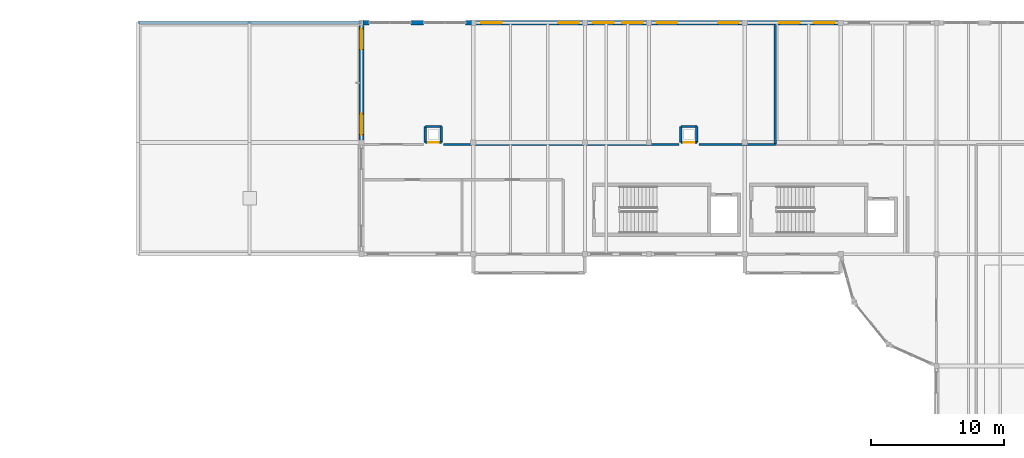
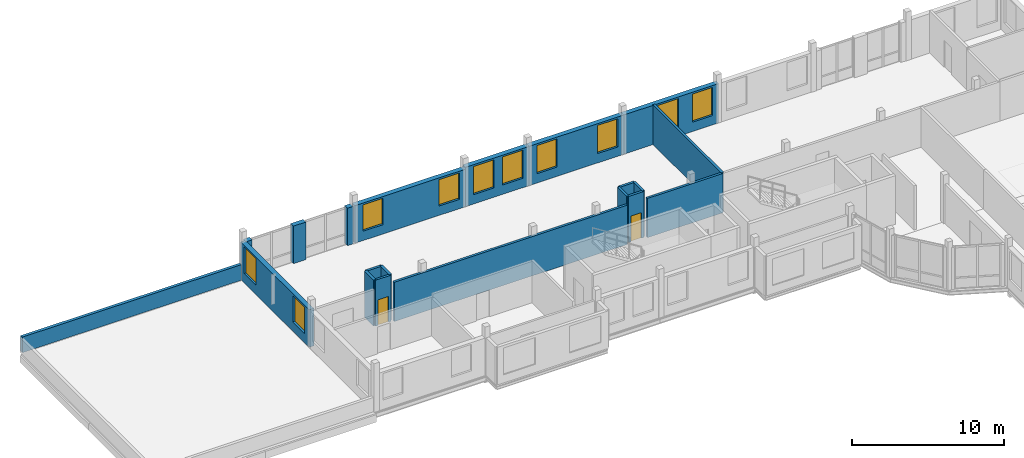
# One storey, part 42 of 57: 20 walls, 10 windows, 2 doors, 12 openings.
"""IFC4 building model written with IfcOpenShell, lengths in metres."""

from ifc_helpers import new_model, si_unit, direction, frame, frame_2d, origin, place, context, subcontext, project, spatial, rectangle, extrude, material, layer, layer_set, type_object, element, fill, save


model = new_model("IFC4")

# Units and contexts
model_context = context("Model", 3, precision=1e-05, world=origin(), true_north=direction((0.0, 1.0)))
body_context = subcontext(model_context, "Body", "Model", "MODEL_VIEW")
ifc_project = project(units=[si_unit("LENGTHUNIT", "METRE"), si_unit("AREAUNIT", "SQUARE_METRE"), si_unit("VOLUMEUNIT", "CUBIC_METRE"), si_unit("PLANEANGLEUNIT", "RADIAN"), si_unit("MASSUNIT", "GRAM", prefix="KILO")], contexts=[model_context])

# Site, building, storey
site_placement = place(None, origin())
site = spatial("IfcSite", under=ifc_project, at=site_placement, CompositionType="ELEMENT")
building_placement = place(site_placement, origin())
building = spatial("IfcBuilding", under=site, at=building_placement, Name="Kahlenmark Community Centre", CompositionType="ELEMENT")
storey_placement = place(building_placement, frame((0.0, 0.0, 13.800048828125)))
storey = spatial("IfcBuildingStorey", under=building, at=storey_placement, Name="L03", CompositionType="ELEMENT", Elevation=13.800048828125)

# Walls
ifc_material_1 = material(Name="Danube limestone masonry", Category="masonry")
ifc_layer_1 = layer(ifc_material_1, 0.360107421875)
ifc_layer_set_1 = layer_set([ifc_layer_1], Name="Danube limestone masonry")
wall_type_1 = type_object("IfcWallType", Name="WT-EW-360", PredefinedType="SOLIDWALL", material=ifc_layer_set_1)
wall_1_placement = place(storey_placement, frame((33.8798828125, 115.0, 0.0), z_axis=(0.0, 0.0, 1.0), x_axis=(-1.0, 0.0, 0.0)))
element("IfcWall", 1, at=wall_1_placement, inside=storey, type_object=wall_type_1, Name="Postmodern limestone pier 0594", PredefinedType="SOLIDWALL", context=body_context, shape_type="SweptSolid", body=[
    extrude(rectangle(XDim=0.9599609375, YDim=0.360107421875, at=frame_2d((0.47998046875, 0.0))), origin(), (0.0, 0.0, 1.0), 3.010009765625),
])
for number, where, z_axis, x_axis, name in (
    (2, (37.469970703125, 115.0, 0.0), (0.0, 0.0, 1.0), (-1.0, 0.0, 0.0), "Column closure pier 0595"),
    (3, (29.780029296875, 115.0, 0.0), (0.0, 0.0, 1.0), (-1.0, 0.0, 0.0), "Column closure pier 0596"),
):
    element("IfcWall", number, at=place(storey_placement, frame(where, z_axis=z_axis, x_axis=x_axis)), inside=storey, type_object=wall_type_1, Name=name, PredefinedType="SOLIDWALL", context=body_context, shape_type="SweptSolid", body=[
        extrude(rectangle(XDim=0.449951171875, YDim=0.360107421875, at=frame_2d((0.22509765625, 0.0))), origin(), (0.0, 0.0, 1.0), 3.010009765625),
    ])

# Wall, openings, windows
wall_2_placement = place(storey_placement, frame((46.0, 115.0, 0.0), z_axis=(0.0, 0.0, 1.0), x_axis=(-1.0, 0.0, 0.0)))
wall_2 = element("IfcWall", 4, at=wall_2_placement, inside=storey, type_object=wall_type_1, Name="Exterior wall WL-EXT-L03-0597", PredefinedType="SOLIDWALL", context=body_context, shape_type="SweptSolid", body=[
    extrude(rectangle(XDim=8.39990234375, YDim=0.360107421875, at=frame_2d((4.199951171875, 0.0))), origin(), (0.0, 0.0, 1.0), 3.010009765625),
])
opening_1_placement = place(wall_2_placement, frame((0.4599609375, 0.0, 0.75)))
opening_1 = element("IfcOpeningElement", 5, at=opening_1_placement, cuts=wall_2, Name="Opening W-155X212", PredefinedType="OPENING", context=body_context, shape_type="SweptSolid", body=[
    extrude(rectangle(XDim=1.550048828125, YDim=2.1201171875, at=frame_2d((0.77490234375, 1.06005859375))), frame((0.0, 0.18994140625, 0.0), z_axis=(0.0, -1.0, 0.0), x_axis=(1.0, 0.0, 0.0)), (0.0, 0.0, 1.0), 0.380126953125),
])
opening_2_placement = place(wall_2_placement, frame((6.260009765625, 0.0, 0.75)))
opening_2 = element("IfcOpeningElement", 6, at=opening_2_placement, cuts=wall_2, Name="Opening W-155X212", PredefinedType="OPENING", context=body_context, shape_type="SweptSolid", body=[
    extrude(rectangle(XDim=1.550048828125, YDim=2.1201171875, at=frame_2d((0.77490234375, 1.06005859375))), frame((0.0, 0.18994140625, 0.0), z_axis=(0.0, -1.0, 0.0), x_axis=(1.0, 0.0, 0.0)), (0.0, 0.0, 1.0), 0.380126953125),
])
ifc_material_2 = material(Name="Deep-reveal limestone punched triple glazing", Category="masonry")
window_type_1 = type_object("IfcWindowType", Name="WNT-155X212", PartitioningType="DOUBLE_PANEL_HORIZONTAL", PredefinedType="WINDOW", material=ifc_material_2)
window_1_placement = place(opening_1_placement, origin())
window_1 = element("IfcWindow", 7, at=window_1_placement, inside=storey, type_object=window_type_1, Name="Window W-155X212 #0365", OverallHeight=2.1201171875, OverallWidth=1.550048828125, PartitioningType="DOUBLE_PANEL_HORIZONTAL", PredefinedType="WINDOW", context=body_context, shape_type="SweptSolid", body=[
    extrude(rectangle(XDim=1.550048828125, YDim=2.1201171875, at=frame_2d((0.77490234375, 1.06005859375))), frame((0.0, 0.030029296875, 0.0), z_axis=(0.0, -1.0, 0.0), x_axis=(1.0, 0.0, 0.0)), (0.0, 0.0, 1.0), 0.06005859375),
])
fill(opening_1, window_1)
window_2_placement = place(opening_2_placement, origin())
window_2 = element("IfcWindow", 8, at=window_2_placement, inside=storey, type_object=window_type_1, Name="Window W-155X212 #0366", OverallHeight=2.1201171875, OverallWidth=1.550048828125, PartitioningType="DOUBLE_PANEL_HORIZONTAL", PredefinedType="WINDOW", context=body_context, shape_type="SweptSolid", body=[
    extrude(rectangle(XDim=1.550048828125, YDim=2.1201171875, at=frame_2d((0.77490234375, 1.06005859375))), frame((0.0, 0.030029296875, 0.0), z_axis=(0.0, -1.0, 0.0), x_axis=(1.0, 0.0, 0.0)), (0.0, 0.0, 1.0), 0.06005859375),
])
fill(opening_2, window_2)

wall_3_placement = place(storey_placement, frame((50.800048828125, 115.0, 0.0), z_axis=(0.0, 0.0, 1.0), x_axis=(-1.0, 0.0, 0.0)))
wall_3 = element("IfcWall", 9, at=wall_3_placement, inside=storey, type_object=wall_type_1, Name="Exterior wall WL-EXT-L03-0598", PredefinedType="SOLIDWALL", context=body_context, shape_type="SweptSolid", body=[
    extrude(rectangle(XDim=4.800048828125, YDim=0.360107421875, at=frame_2d((2.39990234375, 0.0))), origin(), (0.0, 0.0, 1.0), 3.14990234375),
])
opening_3_placement = place(wall_3_placement, frame((0.4599609375, 0.0, 0.75)))
opening_3 = element("IfcOpeningElement", 10, at=opening_3_placement, cuts=wall_3, Name="Opening W-155X226", PredefinedType="OPENING", context=body_context, shape_type="SweptSolid", body=[
    extrude(rectangle(XDim=1.550048828125, YDim=2.260009765625, at=frame_2d((0.77490234375, 1.1298828125))), frame((0.0, 0.18994140625, 0.0), z_axis=(0.0, -1.0, 0.0), x_axis=(1.0, 0.0, 0.0)), (0.0, 0.0, 1.0), 0.380126953125),
])
opening_4_placement = place(wall_3_placement, frame((2.659912109375, 0.0, 0.75)))
opening_4 = element("IfcOpeningElement", 11, at=opening_4_placement, cuts=wall_3, Name="Opening W-155X226", PredefinedType="OPENING", context=body_context, shape_type="SweptSolid", body=[
    extrude(rectangle(XDim=1.550048828125, YDim=2.260009765625, at=frame_2d((0.77490234375, 1.1298828125))), frame((0.0, 0.18994140625, 0.0), z_axis=(0.0, -1.0, 0.0), x_axis=(1.0, 0.0, 0.0)), (0.0, 0.0, 1.0), 0.380126953125),
])
window_type_2 = type_object("IfcWindowType", Name="WNT-155X226", PartitioningType="DOUBLE_PANEL_HORIZONTAL", PredefinedType="WINDOW", material=ifc_material_2)
window_3_placement = place(opening_3_placement, origin())
window_3 = element("IfcWindow", 12, at=window_3_placement, inside=storey, type_object=window_type_2, Name="Window W-155X226 #0367", OverallHeight=2.260009765625, OverallWidth=1.550048828125, PartitioningType="DOUBLE_PANEL_HORIZONTAL", PredefinedType="WINDOW", context=body_context, shape_type="SweptSolid", body=[
    extrude(rectangle(XDim=1.550048828125, YDim=2.260009765625, at=frame_2d((0.77490234375, 1.1298828125))), frame((0.0, 0.030029296875, 0.0), z_axis=(0.0, -1.0, 0.0), x_axis=(1.0, 0.0, 0.0)), (0.0, 0.0, 1.0), 0.06005859375),
])
fill(opening_3, window_3)
window_4_placement = place(opening_4_placement, origin())
window_4 = element("IfcWindow", 13, at=window_4_placement, inside=storey, type_object=window_type_2, Name="Window W-155X226 #0368", OverallHeight=2.260009765625, OverallWidth=1.550048828125, PartitioningType="DOUBLE_PANEL_HORIZONTAL", PredefinedType="WINDOW", context=body_context, shape_type="SweptSolid", body=[
    extrude(rectangle(XDim=1.550048828125, YDim=2.260009765625, at=frame_2d((0.77490234375, 1.1298828125))), frame((0.0, 0.030029296875, 0.0), z_axis=(0.0, -1.0, 0.0), x_axis=(1.0, 0.0, 0.0)), (0.0, 0.0, 1.0), 0.06005859375),
])
fill(opening_4, window_4)

wall_4_placement = place(storey_placement, frame((58.0, 115.0, 0.0), z_axis=(0.0, 0.0, 1.0), x_axis=(-1.0, 0.0, 0.0)))
wall_4 = element("IfcWall", 14, at=wall_4_placement, inside=storey, type_object=wall_type_1, Name="Exterior wall WL-EXT-L03-0599", PredefinedType="SOLIDWALL", context=body_context, shape_type="SweptSolid", body=[
    extrude(rectangle(XDim=7.199951171875, YDim=0.360107421875, at=frame_2d((3.60009765625, 0.0))), origin(), (0.0, 0.0, 1.0), 3.14990234375),
])
opening_5_placement = place(wall_4_placement, frame((0.4599609375, 0.0, 0.75)))
opening_5 = element("IfcOpeningElement", 15, at=opening_5_placement, cuts=wall_4, Name="Opening W-155X226", PredefinedType="OPENING", context=body_context, shape_type="SweptSolid", body=[
    extrude(rectangle(XDim=1.550048828125, YDim=2.260009765625, at=frame_2d((0.77490234375, 1.1298828125))), frame((0.0, 0.18994140625, 0.0), z_axis=(0.0, -1.0, 0.0), x_axis=(1.0, 0.0, 0.0)), (0.0, 0.0, 1.0), 0.380126953125),
])
opening_6_placement = place(wall_4_placement, frame((5.06005859375, 0.0, 0.75)))
opening_6 = element("IfcOpeningElement", 16, at=opening_6_placement, cuts=wall_4, Name="Opening W-155X226", PredefinedType="OPENING", context=body_context, shape_type="SweptSolid", body=[
    extrude(rectangle(XDim=1.550048828125, YDim=2.260009765625, at=frame_2d((0.77490234375, 1.1298828125))), frame((0.0, 0.18994140625, 0.0), z_axis=(0.0, -1.0, 0.0), x_axis=(1.0, 0.0, 0.0)), (0.0, 0.0, 1.0), 0.380126953125),
])
window_5_placement = place(opening_5_placement, origin())
window_5 = element("IfcWindow", 17, at=window_5_placement, inside=storey, type_object=window_type_2, Name="Window W-155X226 #0369", OverallHeight=2.260009765625, OverallWidth=1.550048828125, PartitioningType="DOUBLE_PANEL_HORIZONTAL", PredefinedType="WINDOW", context=body_context, shape_type="SweptSolid", body=[
    extrude(rectangle(XDim=1.550048828125, YDim=2.260009765625, at=frame_2d((0.77490234375, 1.1298828125))), frame((0.0, 0.030029296875, 0.0), z_axis=(0.0, -1.0, 0.0), x_axis=(1.0, 0.0, 0.0)), (0.0, 0.0, 1.0), 0.06005859375),
])
fill(opening_5, window_5)
window_6_placement = place(opening_6_placement, origin())
window_6 = element("IfcWindow", 18, at=window_6_placement, inside=storey, type_object=window_type_2, Name="Window W-155X226 #0370", OverallHeight=2.260009765625, OverallWidth=1.550048828125, PartitioningType="DOUBLE_PANEL_HORIZONTAL", PredefinedType="WINDOW", context=body_context, shape_type="SweptSolid", body=[
    extrude(rectangle(XDim=1.550048828125, YDim=2.260009765625, at=frame_2d((0.77490234375, 1.1298828125))), frame((0.0, 0.030029296875, 0.0), z_axis=(0.0, -1.0, 0.0), x_axis=(1.0, 0.0, 0.0)), (0.0, 0.0, 1.0), 0.06005859375),
])
fill(opening_6, window_6)

wall_5_placement = place(storey_placement, frame((65.199951171875, 115.0, 0.0), z_axis=(0.0, 0.0, 1.0), x_axis=(-1.0, 0.0, 0.0)))
wall_5 = element("IfcWall", 19, at=wall_5_placement, inside=storey, type_object=wall_type_1, Name="Exterior wall WL-EXT-L03-0600", PredefinedType="SOLIDWALL", context=body_context, shape_type="SweptSolid", body=[
    extrude(rectangle(XDim=7.199951171875, YDim=0.360107421875, at=frame_2d((3.60009765625, 0.0))), origin(), (0.0, 0.0, 1.0), 3.14990234375),
])
opening_7_placement = place(wall_5_placement, frame((0.4599609375, 0.0, 0.75)))
opening_7 = element("IfcOpeningElement", 20, at=opening_7_placement, cuts=wall_5, Name="Opening W-155X226", PredefinedType="OPENING", context=body_context, shape_type="SweptSolid", body=[
    extrude(rectangle(XDim=1.550048828125, YDim=2.260009765625, at=frame_2d((0.77490234375, 1.1298828125))), frame((0.0, 0.18994140625, 0.0), z_axis=(0.0, -1.0, 0.0), x_axis=(1.0, 0.0, 0.0)), (0.0, 0.0, 1.0), 0.380126953125),
])
opening_8_placement = place(wall_5_placement, frame((3.06005859375, 0.0, 0.75)))
opening_8 = element("IfcOpeningElement", 21, at=opening_8_placement, cuts=wall_5, Name="Opening W-155X226", PredefinedType="OPENING", context=body_context, shape_type="SweptSolid", body=[
    extrude(rectangle(XDim=1.550048828125, YDim=2.260009765625, at=frame_2d((0.77490234375, 1.1298828125))), frame((0.0, 0.18994140625, 0.0), z_axis=(0.0, -1.0, 0.0), x_axis=(1.0, 0.0, 0.0)), (0.0, 0.0, 1.0), 0.380126953125),
])
window_7_placement = place(opening_7_placement, origin())
window_7 = element("IfcWindow", 22, at=window_7_placement, inside=storey, type_object=window_type_2, Name="Window W-155X226 #0371", OverallHeight=2.260009765625, OverallWidth=1.550048828125, PartitioningType="DOUBLE_PANEL_HORIZONTAL", PredefinedType="WINDOW", context=body_context, shape_type="SweptSolid", body=[
    extrude(rectangle(XDim=1.550048828125, YDim=2.260009765625, at=frame_2d((0.77490234375, 1.1298828125))), frame((0.0, 0.030029296875, 0.0), z_axis=(0.0, -1.0, 0.0), x_axis=(1.0, 0.0, 0.0)), (0.0, 0.0, 1.0), 0.06005859375),
])
fill(opening_7, window_7)
window_8_placement = place(opening_8_placement, origin())
window_8 = element("IfcWindow", 23, at=window_8_placement, inside=storey, type_object=window_type_2, Name="Window W-155X226 #0372", OverallHeight=2.260009765625, OverallWidth=1.550048828125, PartitioningType="DOUBLE_PANEL_HORIZONTAL", PredefinedType="WINDOW", context=body_context, shape_type="SweptSolid", body=[
    extrude(rectangle(XDim=1.550048828125, YDim=2.260009765625, at=frame_2d((0.77490234375, 1.1298828125))), frame((0.0, 0.030029296875, 0.0), z_axis=(0.0, -1.0, 0.0), x_axis=(1.0, 0.0, 0.0)), (0.0, 0.0, 1.0), 0.06005859375),
])
fill(opening_8, window_8)

wall_6_placement = place(storey_placement, frame((29.199951171875, 115.0, 0.0), z_axis=(0.0, 0.0, 1.0), x_axis=(0.0, -1.0, 0.0)))
wall_6 = element("IfcWall", 24, at=wall_6_placement, inside=storey, type_object=wall_type_1, Name="Exterior wall WL-EXT-L03-0607", PredefinedType="SOLIDWALL", context=body_context, shape_type="SweptSolid", body=[
    extrude(rectangle(XDim=9.0, YDim=0.360107421875, at=frame_2d((4.5, 0.0))), origin(), (0.0, 0.0, 1.0), 3.010009765625),
])
opening_9_placement = place(wall_6_placement, frame((0.4599609375, 0.0, 0.75)))
opening_9 = element("IfcOpeningElement", 25, at=opening_9_placement, cuts=wall_6, Name="Opening W-155X212", PredefinedType="OPENING", context=body_context, shape_type="SweptSolid", body=[
    extrude(rectangle(XDim=1.550048828125, YDim=2.1201171875, at=frame_2d((0.77490234375, 1.06005859375))), frame((0.0, 0.18994140625, 0.0), z_axis=(0.0, -1.0, 0.0), x_axis=(1.0, 0.0, 0.0)), (0.0, 0.0, 1.0), 0.380126953125),
])
opening_10_placement = place(wall_6_placement, frame((6.860107421875, 0.0, 0.75)))
opening_10 = element("IfcOpeningElement", 26, at=opening_10_placement, cuts=wall_6, Name="Opening W-155X212", PredefinedType="OPENING", context=body_context, shape_type="SweptSolid", body=[
    extrude(rectangle(XDim=1.550048828125, YDim=2.1201171875, at=frame_2d((0.77490234375, 1.06005859375))), frame((0.0, 0.18994140625, 0.0), z_axis=(0.0, -1.0, 0.0), x_axis=(1.0, 0.0, 0.0)), (0.0, 0.0, 1.0), 0.380126953125),
])
window_9_placement = place(opening_9_placement, origin())
window_9 = element("IfcWindow", 27, at=window_9_placement, inside=storey, type_object=window_type_1, Name="Window W-155X212 #0379", OverallHeight=2.1201171875, OverallWidth=1.550048828125, PartitioningType="DOUBLE_PANEL_HORIZONTAL", PredefinedType="WINDOW", context=body_context, shape_type="SweptSolid", body=[
    extrude(rectangle(XDim=1.550048828125, YDim=2.1201171875, at=frame_2d((0.77490234375, 1.06005859375))), frame((0.0, 0.030029296875, 0.0), z_axis=(0.0, -1.0, 0.0), x_axis=(1.0, 0.0, 0.0)), (0.0, 0.0, 1.0), 0.06005859375),
])
fill(opening_9, window_9)
window_10_placement = place(opening_10_placement, origin())
window_10 = element("IfcWindow", 28, at=window_10_placement, inside=storey, type_object=window_type_1, Name="Window W-155X212 #0380", OverallHeight=2.1201171875, OverallWidth=1.550048828125, PartitioningType="DOUBLE_PANEL_HORIZONTAL", PredefinedType="WINDOW", context=body_context, shape_type="SweptSolid", body=[
    extrude(rectangle(XDim=1.550048828125, YDim=2.1201171875, at=frame_2d((0.77490234375, 1.06005859375))), frame((0.0, 0.030029296875, 0.0), z_axis=(0.0, -1.0, 0.0), x_axis=(1.0, 0.0, 0.0)), (0.0, 0.0, 1.0), 0.06005859375),
])
fill(opening_10, window_10)

# Walls
ifc_material_3 = material(Name="Concrete C30/37", Category="concrete")
ifc_layer_2 = layer(ifc_material_3, 0.219970703125)
ifc_layer_set_2 = layer_set([ifc_layer_2], Name="Concrete C30/37")
wall_type_2 = type_object("IfcWallType", Name="WT-PAR-220", PredefinedType="PARAPET", material=ifc_layer_set_2)
wall_7_placement = place(storey_placement, frame((12.39990234375, 115.0, 0.0), z_axis=(0.0, 0.0, 1.0), x_axis=(1.0, 0.0, 0.0)))
element("IfcWall", 29, at=wall_7_placement, inside=storey, type_object=wall_type_2, Name="Roof parapet 1040", PredefinedType="PARAPET", context=body_context, shape_type="SweptSolid", body=[
    extrude(rectangle(XDim=16.800048828125, YDim=0.219970703125, at=frame_2d((8.39990234375, 0.0))), origin(), (0.0, 0.0, 1.0), 1.25),
])
ifc_material_4 = material(Name="Gypsum plasterboard partition", Category="gypsum")
ifc_layer_3 = layer(ifc_material_4, 0.179931640625)
ifc_layer_set_3 = layer_set([ifc_layer_3], Name="Gypsum plasterboard partition")
wall_type_3 = type_object("IfcWallType", Name="WT-PW-180", PredefinedType="PARTITIONING", material=ifc_layer_set_3)
wall_8_placement = place(storey_placement, frame((35.35009765625, 105.85009765625, 0.0), z_axis=(0.0, 0.0, 1.0), x_axis=(1.0, 0.0, 0.0)))
element("IfcWall", 30, at=wall_8_placement, inside=storey, type_object=wall_type_3, Name="Interior partition WL-INT-L03-0235", PredefinedType="PARTITIONING", context=body_context, shape_type="SweptSolid", body=[
    extrude(rectangle(XDim=17.699951171875, YDim=0.179931640625, at=frame_2d((8.85009765625, 0.0))), origin(), (0.0, 0.0, 1.0), 3.14990234375),
])
wall_9_placement = place(storey_placement, frame((54.550048828125, 105.85009765625, 0.0), z_axis=(0.0, 0.0, 1.0), x_axis=(1.0, 0.0, 0.0)))
element("IfcWall", 31, at=wall_9_placement, inside=storey, type_object=wall_type_3, Name="Interior partition WL-INT-L03-0236", PredefinedType="PARTITIONING", context=body_context, shape_type="SweptSolid", body=[
    extrude(rectangle(XDim=5.75, YDim=0.179931640625, at=frame_2d((2.875, 0.0))), origin(), (0.0, 0.0, 1.0), 3.14990234375),
])
wall_10_placement = place(storey_placement, frame((60.300048828125, 105.85009765625, 0.0), z_axis=(0.0, 0.0, 1.0), x_axis=(0.0, 1.0, 0.0)))
element("IfcWall", 32, at=wall_10_placement, inside=storey, type_object=wall_type_3, Name="Interior partition WL-INT-L03-0240", PredefinedType="PARTITIONING", context=body_context, shape_type="SweptSolid", body=[
    extrude(rectangle(XDim=9.010009765625, YDim=0.179931640625, at=frame_2d((4.5048828125, 0.0))), origin(), (0.0, 0.0, 1.0), 3.179931640625),
])

# Wall, opening, door
ifc_material_5 = material(Name="Masonry blockwork", Category="masonry")
ifc_layer_4 = layer(ifc_material_5, 0.179931640625)
ifc_layer_set_4 = layer_set([ifc_layer_4], Name="Masonry blockwork")
wall_type_4 = type_object("IfcWallType", Name="WT-RISER-180", PredefinedType="SOLIDWALL", material=ifc_layer_set_4)
wall_11_placement = place(storey_placement, frame((34.0, 106.0, 0.0), z_axis=(0.0, 0.0, 1.0), x_axis=(1.0, 0.0, 0.0)))
wall_11 = element("IfcWall", 33, at=wall_11_placement, inside=storey, type_object=wall_type_4, Name="Riser RS-06 shaft wall L03.1", PredefinedType="SOLIDWALL", context=body_context, shape_type="SweptSolid", body=[
    extrude(rectangle(XDim=1.199951171875, YDim=0.179931640625, at=frame_2d((0.60009765625, 0.0))), origin(), (0.0, 0.0, 1.0), 3.68994140625),
])
opening_11_placement = place(wall_11_placement, frame((0.199951171875, 0.0, -0.010009765625)))
opening_11 = element("IfcOpeningElement", 34, at=opening_11_placement, cuts=wall_11, Name="Opening FD-RS80", PredefinedType="OPENING", context=body_context, shape_type="SweptSolid", body=[
    extrude(rectangle(XDim=0.800048828125, YDim=2.06005859375, at=frame_2d((0.39990234375, 1.030029296875))), frame((0.0, 0.099853515625, 0.0), z_axis=(0.0, -1.0, 0.0), x_axis=(1.0, 0.0, 0.0)), (0.0, 0.0, 1.0), 0.199951171875),
])
ifc_material_6 = material(Name="Fire-rated steel service riser door FD60S", Category="steel")
door_type = type_object("IfcDoorType", Name="DT-RISER-80X205", OperationType="NOTDEFINED", PredefinedType="DOOR", material=ifc_material_6)
door_1_placement = place(opening_11_placement, frame((0.0, 0.0, 0.010009765625)))
door_1 = element("IfcDoor", 35, at=door_1_placement, inside=storey, type_object=door_type, Name="Riser RS-06 access door L03", OperationType="SINGLE_SWING_LEFT", OverallHeight=2.050048828125, OverallWidth=0.800048828125, PredefinedType="DOOR", context=body_context, shape_type="SweptSolid", body=[
    extrude(rectangle(XDim=0.800048828125, YDim=2.050048828125, at=frame_2d((0.39990234375, 1.02490234375))), frame((0.0, 0.02490234375, 0.0), z_axis=(0.0, -1.0, 0.0), x_axis=(1.0, 0.0, 0.0)), (0.0, 0.0, 1.0), 0.050048828125),
])
fill(opening_11, door_1)

# Walls
for number, where, z_axis, x_axis, name in (
    (36, (35.199951171875, 106.0, 0.0), (0.0, 0.0, 1.0), (0.0, 1.0, 0.0), "Riser RS-06 shaft wall L03.2"),
    (37, (35.199951171875, 107.199951171875, 0.0), (0.0, 0.0, 1.0), (-1.0, 0.0, 0.0), "Riser RS-06 shaft wall L03.3"),
    (38, (34.0, 107.199951171875, 0.0), (0.0, 0.0, 1.0), (0.0, -1.0, 0.0), "Riser RS-06 shaft wall L03.4"),
):
    element("IfcWall", number, at=place(storey_placement, frame(where, z_axis=z_axis, x_axis=x_axis)), inside=storey, type_object=wall_type_4, Name=name, PredefinedType="SOLIDWALL", context=body_context, shape_type="SweptSolid", body=[
        extrude(rectangle(XDim=1.199951171875, YDim=0.179931640625, at=frame_2d((0.60009765625, 0.0))), origin(), (0.0, 0.0, 1.0), 3.68994140625),
    ])

# Wall, opening, door
wall_12_placement = place(storey_placement, frame((53.199951171875, 106.0, 0.0), z_axis=(0.0, 0.0, 1.0), x_axis=(1.0, 0.0, 0.0)))
wall_12 = element("IfcWall", 39, at=wall_12_placement, inside=storey, type_object=wall_type_4, Name="Riser RS-07 shaft wall L03.1", PredefinedType="SOLIDWALL", context=body_context, shape_type="SweptSolid", body=[
    extrude(rectangle(XDim=1.199951171875, YDim=0.179931640625, at=frame_2d((0.60009765625, 0.0))), origin(), (0.0, 0.0, 1.0), 3.68994140625),
])
opening_12_placement = place(wall_12_placement, frame((0.199951171875, 0.0, -0.010009765625)))
opening_12 = element("IfcOpeningElement", 40, at=opening_12_placement, cuts=wall_12, Name="Opening FD-RS80", PredefinedType="OPENING", context=body_context, shape_type="SweptSolid", body=[
    extrude(rectangle(XDim=0.800048828125, YDim=2.06005859375, at=frame_2d((0.39990234375, 1.030029296875))), frame((0.0, 0.099853515625, 0.0), z_axis=(0.0, -1.0, 0.0), x_axis=(1.0, 0.0, 0.0)), (0.0, 0.0, 1.0), 0.199951171875),
])
door_2_placement = place(opening_12_placement, frame((0.0, 0.0, 0.010009765625)))
door_2 = element("IfcDoor", 41, at=door_2_placement, inside=storey, type_object=door_type, Name="Riser RS-07 access door L03", OperationType="SINGLE_SWING_RIGHT", OverallHeight=2.050048828125, OverallWidth=0.800048828125, PredefinedType="DOOR", context=body_context, shape_type="SweptSolid", body=[
    extrude(rectangle(XDim=0.800048828125, YDim=2.050048828125, at=frame_2d((0.39990234375, 1.02490234375))), frame((0.0, 0.02490234375, 0.0), z_axis=(0.0, -1.0, 0.0), x_axis=(1.0, 0.0, 0.0)), (0.0, 0.0, 1.0), 0.050048828125),
])
fill(opening_12, door_2)

# Walls
for number, where, z_axis, x_axis, name in (
    (42, (54.39990234375, 106.0, 0.0), (0.0, 0.0, 1.0), (0.0, 1.0, 0.0), "Riser RS-07 shaft wall L03.2"),
    (43, (54.39990234375, 107.199951171875, 0.0), (0.0, 0.0, 1.0), (-1.0, 0.0, 0.0), "Riser RS-07 shaft wall L03.3"),
    (44, (53.199951171875, 107.199951171875, 0.0), (0.0, 0.0, 1.0), (0.0, -1.0, 0.0), "Riser RS-07 shaft wall L03.4"),
):
    element("IfcWall", number, at=place(storey_placement, frame(where, z_axis=z_axis, x_axis=x_axis)), inside=storey, type_object=wall_type_4, Name=name, PredefinedType="SOLIDWALL", context=body_context, shape_type="SweptSolid", body=[
        extrude(rectangle(XDim=1.199951171875, YDim=0.179931640625, at=frame_2d((0.60009765625, 0.0))), origin(), (0.0, 0.0, 1.0), 3.68994140625),
    ])

save(model, "model.ifc")
